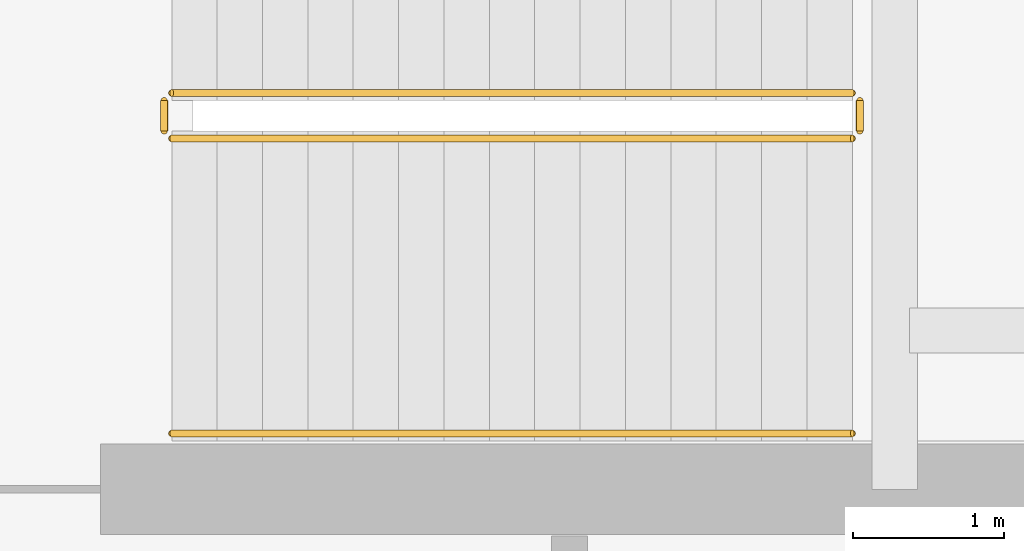
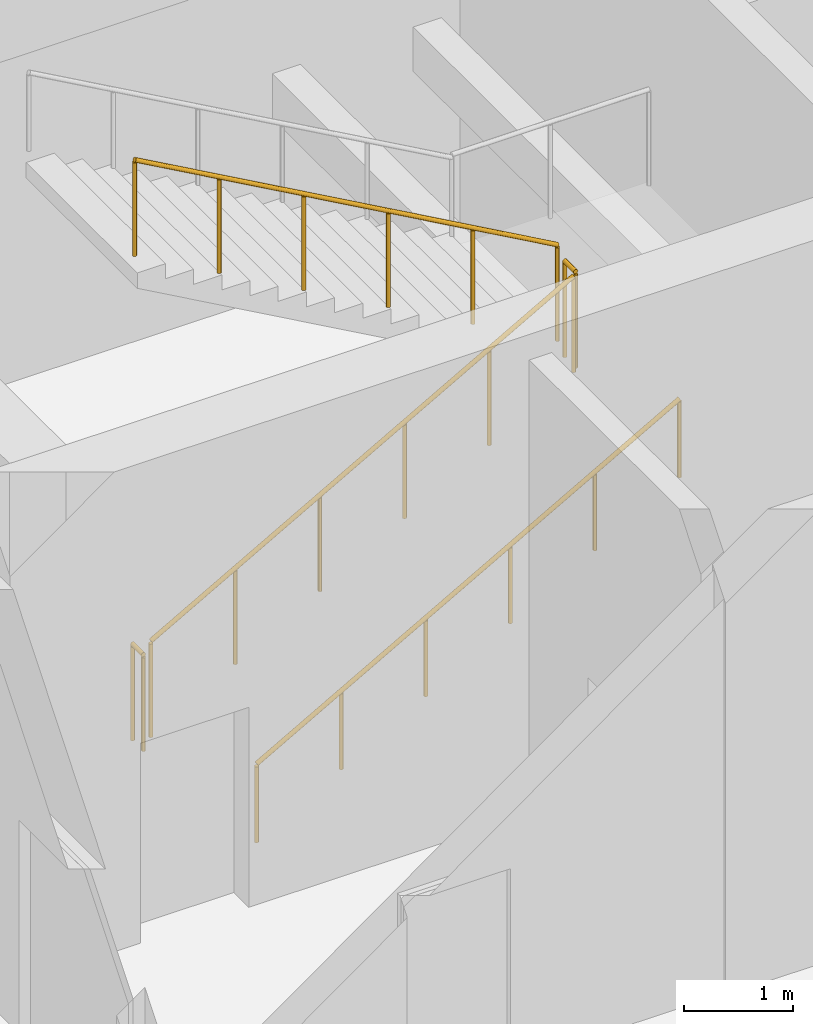
# One storey, part 53 of 62: 5 railings.
"""IFC4 building model written with IfcOpenShell, lengths in metres."""

from ifc_helpers import new_model, si_unit, direction, frame, origin, origin_2d, place, context, subcontext, project, spatial, circle, extrude, material, type_object, element, save


model = new_model("IFC4")

# Units and contexts
model_context = context("Model", 3, precision=1e-05, world=origin(), true_north=direction((0.0, 1.0)))
body_context = subcontext(model_context, "Body", "Model", "MODEL_VIEW")
ifc_project = project(units=[si_unit("LENGTHUNIT", "METRE"), si_unit("AREAUNIT", "SQUARE_METRE"), si_unit("VOLUMEUNIT", "CUBIC_METRE"), si_unit("PLANEANGLEUNIT", "RADIAN"), si_unit("MASSUNIT", "GRAM", prefix="KILO")], contexts=[model_context])

# Site, building, storey
site_placement = place(None, origin())
site = spatial("IfcSite", under=ifc_project, at=site_placement, CompositionType="ELEMENT")
building_placement = place(site_placement, origin())
building = spatial("IfcBuilding", under=site, at=building_placement, Name="Tarnveldt Square Police Headquarters", CompositionType="ELEMENT")
storey_placement = place(building_placement, origin())
storey = spatial("IfcBuildingStorey", under=building, at=storey_placement, Name="L00", CompositionType="ELEMENT", Elevation=0.0)

# Railings
ifc_material = material(Name="Steel 350W", Category="steel")
railing_type_1 = type_object("IfcRailingType", Name="RL-GR-1100", PredefinedType="GUARDRAIL", material=ifc_material)
railing_1_placement = place(storey_placement, frame((19.3701171875, 62.719970703125, 0.168701171875)))
element("IfcRailing", 1, at=railing_1_placement, inside=storey, type_object=railing_type_1, Name="L00 ST1 stair guard 1", PredefinedType="GUARDRAIL", context=body_context, shape_type="SweptSolid", body=[
    extrude(circle(Radius=0.02392578125, at=origin_2d()), frame((0.0, 0.0, 1.076171875), z_axis=(0.871575537125, 0.0, 0.490261239633), x_axis=(0.0, 1.0, 0.0)), (0.0, 0.0, 1.0), 5.1630859375),
    extrude(circle(Radius=0.02099609375, at=origin_2d()), origin(), (0.0, 0.0, 1.0), 1.052001953125),
    extrude(circle(Radius=0.02099609375, at=origin_2d()), frame((0.89990234375, 0.0, 0.50634765625)), (0.0, 0.0, 1.0), 1.052001953125),
    extrude(circle(Radius=0.02099609375, at=origin_2d()), frame((1.800048828125, 0.0, 1.012451171875)), (0.0, 0.0, 1.0), 1.052001953125),
    extrude(circle(Radius=0.02099609375, at=origin_2d()), frame((2.699951171875, 0.0, 1.518798828125)), (0.0, 0.0, 1.0), 1.052001953125),
    extrude(circle(Radius=0.02099609375, at=origin_2d()), frame((3.60009765625, 0.0, 2.02490234375)), (0.0, 0.0, 1.0), 1.052001953125),
    extrude(circle(Radius=0.02099609375, at=origin_2d()), frame((4.5, 0.0, 2.53125)), (0.0, 0.0, 1.0), 1.052001953125),
])
railing_2_placement = place(storey_placement, frame((23.919921875, 62.77001953125, 2.699951171875)))
element("IfcRailing", 2, at=railing_2_placement, inside=storey, type_object=railing_type_1, Name="L00 ST1 stair guard 2", PredefinedType="GUARDRAIL", context=body_context, shape_type="SweptSolid", body=[
    extrude(circle(Radius=0.02392578125, at=origin_2d()), frame((0.0, 0.0, 1.076171875), z_axis=(0.0, 1.0, 0.0), x_axis=(-1.0, 0.0, 0.0)), (0.0, 0.0, 1.0), 0.199951171875),
    extrude(circle(Radius=0.02099609375, at=origin_2d()), origin(), (0.0, 0.0, 1.0), 1.052001953125),
    extrude(circle(Radius=0.02099609375, at=origin_2d()), frame((0.0, 0.199951171875, 0.0)), (0.0, 0.0, 1.0), 1.052001953125),
])
railing_3_placement = place(storey_placement, frame((23.8701171875, 63.02001953125, 2.86865234375)))
element("IfcRailing", 3, at=railing_3_placement, inside=storey, type_object=railing_type_1, Name="L00 ST1 stair guard 4", PredefinedType="GUARDRAIL", context=body_context, shape_type="SweptSolid", body=[
    extrude(circle(Radius=0.02392578125, at=origin_2d()), frame((0.0, 0.0, 1.076171875), z_axis=(-0.871575537125, 0.0, 0.490261239633), x_axis=(0.0, -1.0, 0.0)), (0.0, 0.0, 1.0), 5.1630859375),
    extrude(circle(Radius=0.02099609375, at=origin_2d()), origin(), (0.0, 0.0, 1.0), 1.052001953125),
    extrude(circle(Radius=0.02099609375, at=origin_2d()), frame((-0.89990234375, 0.0, 0.50634765625)), (0.0, 0.0, 1.0), 1.052001953125),
    extrude(circle(Radius=0.02099609375, at=origin_2d()), frame((-1.800048828125, 0.0, 1.012451171875)), (0.0, 0.0, 1.0), 1.052001953125),
    extrude(circle(Radius=0.02099609375, at=origin_2d()), frame((-2.699951171875, 0.0, 1.518798828125)), (0.0, 0.0, 1.0), 1.052001953125),
    extrude(circle(Radius=0.02099609375, at=origin_2d()), frame((-3.60009765625, 0.0, 2.02490234375)), (0.0, 0.0, 1.0), 1.052001953125),
    extrude(circle(Radius=0.02099609375, at=origin_2d()), frame((-4.5, 0.0, 2.53125)), (0.0, 0.0, 1.0), 1.052001953125),
])
railing_4_placement = place(storey_placement, frame((19.320068359375, 62.77001953125, 0.0)))
element("IfcRailing", 4, at=railing_4_placement, inside=storey, type_object=railing_type_1, Name="L00 ST1 stair guard 5", PredefinedType="GUARDRAIL", context=body_context, shape_type="SweptSolid", body=[
    extrude(circle(Radius=0.02392578125, at=origin_2d()), frame((0.0, 0.0, 1.076171875), z_axis=(0.0, 1.0, 0.0), x_axis=(-1.0, 0.0, 0.0)), (0.0, 0.0, 1.0), 0.199951171875),
    extrude(circle(Radius=0.02099609375, at=origin_2d()), origin(), (0.0, 0.0, 1.0), 1.052001953125),
    extrude(circle(Radius=0.02099609375, at=origin_2d()), frame((0.0, 0.199951171875, 0.0)), (0.0, 0.0, 1.0), 1.052001953125),
])
railing_type_2 = type_object("IfcRailingType", Name="RL-HR-900", PredefinedType="HANDRAIL", material=ifc_material)
railing_5_placement = place(storey_placement, frame((19.3701171875, 60.77001953125, 0.168701171875)))
element("IfcRailing", 5, at=railing_5_placement, inside=storey, type_object=railing_type_2, Name="L00 ST1 stair handrail 1", PredefinedType="HANDRAIL", context=body_context, shape_type="SweptSolid", body=[
    extrude(circle(Radius=0.02392578125, at=origin_2d()), frame((0.0, 0.0, 0.8759765625), z_axis=(0.871575537125, 0.0, 0.490261239633), x_axis=(0.0, 1.0, 0.0)), (0.0, 0.0, 1.0), 5.1630859375),
    extrude(circle(Radius=0.02099609375, at=origin_2d()), origin(), (0.0, 0.0, 1.0), 0.851806640625),
    extrude(circle(Radius=0.02099609375, at=origin_2d()), frame((0.89990234375, 0.0, 0.50634765625)), (0.0, 0.0, 1.0), 0.851806640625),
    extrude(circle(Radius=0.02099609375, at=origin_2d()), frame((1.800048828125, 0.0, 1.012451171875)), (0.0, 0.0, 1.0), 0.851806640625),
    extrude(circle(Radius=0.02099609375, at=origin_2d()), frame((2.699951171875, 0.0, 1.518798828125)), (0.0, 0.0, 1.0), 0.851806640625),
    extrude(circle(Radius=0.02099609375, at=origin_2d()), frame((3.60009765625, 0.0, 2.02490234375)), (0.0, 0.0, 1.0), 0.851806640625),
    extrude(circle(Radius=0.02099609375, at=origin_2d()), frame((4.5, 0.0, 2.53125)), (0.0, 0.0, 1.0), 0.851806640625),
])

save(model, "model.ifc")
